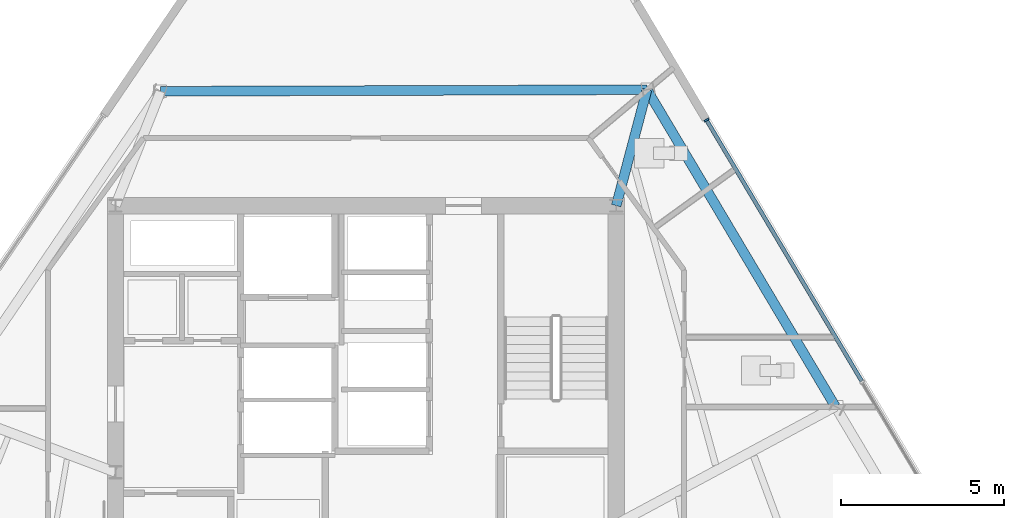
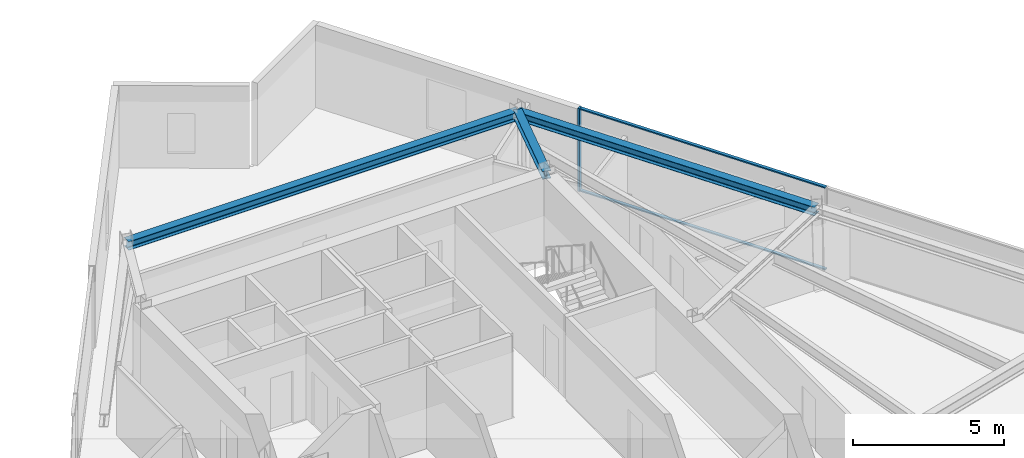
# One storey, part 6 of 14: 3 beams, 3 members, 1 element without a shape of its own.
"""IFC4 building model written with IfcOpenShell, lengths in metres."""

from ifc_helpers import new_model, si_unit, direction, frame, origin, origin_2d, place, context, subcontext, project, spatial, rectangle, i_section, extrude, material, material_profile, profile_set, type_object, element, aggregate, save


model = new_model("IFC4")

# Units and contexts
model_context = context("Model", 3, precision=1e-05, world=origin(), true_north=direction((0.0, 1.0)))
body_context = subcontext(model_context, "Body", "Model", "MODEL_VIEW")
ifc_project = project(units=[si_unit("LENGTHUNIT", "METRE"), si_unit("AREAUNIT", "SQUARE_METRE"), si_unit("VOLUMEUNIT", "CUBIC_METRE"), si_unit("PLANEANGLEUNIT", "RADIAN"), si_unit("MASSUNIT", "GRAM", prefix="KILO")], contexts=[model_context])

# Site, building, storey
site_placement = place(None, origin())
site = spatial("IfcSite", under=ifc_project, at=site_placement, CompositionType="ELEMENT")
building_placement = place(site_placement, origin())
building = spatial("IfcBuilding", under=site, at=building_placement, Name="Savorim Split Tower", CompositionType="ELEMENT")
storey_placement = place(building_placement, frame((0.0, 0.0, 219.89990234375)))
storey = spatial("IfcBuildingStorey", under=building, at=storey_placement, Name="L58", CompositionType="ELEMENT", Elevation=219.89990234375)

# Beams
ifc_material_1 = material(Name="Steel S355", Category="steel")
ifc_material_profile_1 = material_profile(ifc_material_1, i_section(OverallWidth=0.300048828125, OverallDepth=0.320068359375, WebThickness=0.011474609375, FlangeThickness=0.0205078125, FilletRadius=0.027099609375, at=origin_2d()), Name="HEB 320")
ifc_profile_set_1 = profile_set([ifc_material_profile_1], Name="Steel S355")
beam_type_1 = type_object("IfcBeamType", Name="BM-PRI-HEB320", PredefinedType="BEAM", material=ifc_profile_set_1)
beam_1_placement = place(storey_placement, frame((8.645751953125, 13.76513671875, 3.190185546875), z_axis=(-0.256418293252, -0.966565910265, 0.0), x_axis=(0.966565910265, -0.256418293252, 0.0)))
element("IfcBeam", 1, at=beam_1_placement, inside=storey, type_object=beam_type_1, Name="L58 Primary Floor Girder RG-07", PredefinedType="BEAM", context=body_context, shape_type="SweptSolid", body=[
    extrude(i_section(OverallWidth=0.300048828125, OverallDepth=0.320068359375, WebThickness=0.011474609375, FlangeThickness=0.0205078125, FilletRadius=0.027099609375, at=origin_2d()), origin(), (0.0, 0.0, 1.0), 3.6884765625),
])
ifc_material_profile_2 = material_profile(ifc_material_1, i_section(OverallWidth=0.300048828125, OverallDepth=0.35009765625, WebThickness=0.010009765625, FlangeThickness=0.017578125, FilletRadius=0.027099609375, at=origin_2d()), Name="HEA 360")
ifc_profile_set_2 = profile_set([ifc_material_profile_2], Name="Steel S355")
beam_type_2 = type_object("IfcBeamType", Name="BM-SPN-HEA360", PredefinedType="SPANDREL", material=ifc_profile_set_2)
beam_2_placement = place(storey_placement, frame((14.4384765625, 4.023193359375, 3.175048828125), z_axis=(-0.511089586469, 0.859527448429, 0.0), x_axis=(-0.859527448429, -0.511089586469, 0.0)))
element("IfcBeam", 2, at=beam_2_placement, inside=storey, type_object=beam_type_2, Name="L58 Perimeter Spandrel Beam 6", PredefinedType="SPANDREL", context=body_context, shape_type="SweptSolid", body=[
    extrude(i_section(OverallWidth=0.300048828125, OverallDepth=0.35009765625, WebThickness=0.010009765625, FlangeThickness=0.017578125, FilletRadius=0.027099609375, at=origin_2d()), origin(), (0.0, 0.0, 1.0), 11.333984375),
])
beam_3_placement = place(storey_placement, frame((8.645751953125, 13.76513671875, 3.175048828125), z_axis=(-0.999994672236, -0.003264276134, 0.0), x_axis=(0.003264276134, -0.999994672236, 0.0)))
element("IfcBeam", 3, at=beam_3_placement, inside=storey, type_object=beam_type_2, Name="L58 Perimeter Spandrel Beam 7", PredefinedType="SPANDREL", context=body_context, shape_type="SweptSolid", body=[
    extrude(i_section(OverallWidth=0.300048828125, OverallDepth=0.35009765625, WebThickness=0.010009765625, FlangeThickness=0.017578125, FilletRadius=0.027099609375, at=origin_2d()), origin(), (0.0, 0.0, 1.0), 14.958251953125),
])

# Curtain wall, members
ifc_material_2 = material(Name="Dark Ceramic-Fritted Insulated Glass", Category="glass")
curtain_wall_type = type_object("IfcCurtainWallType", Name="CW-TWR-FRIT-B", PredefinedType="NOTDEFINED", material=ifc_material_2)
curtain_wall_placement = place(storey_placement, origin())
curtain_wall = element("IfcCurtainWall", 4, at=curtain_wall_placement, inside=storey, type_object=curtain_wall_type, Name="L58 Curtain Wall CW-L58-EAST", PredefinedType="NOTDEFINED")
ifc_material_3 = material(Name="Charcoal Anodised Aluminium", Category="aluminium")
ifc_material_profile_3 = material_profile(ifc_material_3, rectangle(XDim=0.159912109375, YDim=0.06005859375, at=origin_2d()), Name="ALU-M 160x60")
ifc_profile_set_3 = profile_set([ifc_material_profile_3], Name="Charcoal Anodised Aluminium")
member_type_1 = type_object("IfcMemberType", Name="CWM-160x60", PredefinedType="MULLION", material=ifc_profile_set_3)
member_1_placement = place(storey_placement, frame((10.47607421875, 12.830322265625, 0.0), z_axis=(0.0, 0.0, 1.0), x_axis=(-0.859523513249, -0.51109620442, 0.0)))
member_1 = element("IfcMember", 5, at=member_1_placement, type_object=member_type_1, Name="CW-03 mullion 4", PredefinedType="MULLION", context=body_context, shape_type="SweptSolid", body=[
    extrude(rectangle(XDim=0.159912109375, YDim=0.06005859375, at=origin_2d()), origin(), (0.0, 0.0, 1.0), 3.35009765625),
])
ifc_material_profile_4 = material_profile(ifc_material_3, rectangle(XDim=0.1201171875, YDim=0.050048828125, at=origin_2d()), Name="ALU-T 120x50")
ifc_profile_set_4 = profile_set([ifc_material_profile_4], Name="Charcoal Anodised Aluminium")
member_type_2 = type_object("IfcMemberType", Name="CWT-120x50", PredefinedType="USERDEFINED", material=ifc_profile_set_4)
member_2_placement = place(storey_placement, frame((15.2509765625, 4.80029296875, 0.025146484375), z_axis=(-0.511087432816, 0.859528729024, 0.0), x_axis=(-0.859528729024, -0.511087432816, 0.0)))
member_2 = element("IfcMember", 6, at=member_2_placement, type_object=member_type_2, Name="CW-03 transom 3.1", ObjectType="TRANSOM", PredefinedType="USERDEFINED", context=body_context, shape_type="SweptSolid", body=[
    extrude(rectangle(XDim=0.1201171875, YDim=0.050048828125, at=origin_2d()), origin(), (0.0, 0.0, 1.0), 9.3125),
])
member_3_placement = place(storey_placement, frame((15.2509765625, 4.80029296875, 3.3251953125), z_axis=(-0.511087432816, 0.859528729024, 0.0), x_axis=(-0.859528729024, -0.511087432816, 0.0)))
member_3 = element("IfcMember", 7, at=member_3_placement, type_object=member_type_2, Name="CW-03 transom 3.2", ObjectType="TRANSOM", PredefinedType="USERDEFINED", context=body_context, shape_type="SweptSolid", body=[
    extrude(rectangle(XDim=0.1201171875, YDim=0.050048828125, at=origin_2d()), origin(), (0.0, 0.0, 1.0), 9.3125),
])
aggregate(curtain_wall, [member_1, member_2, member_3])

save(model, "model.ifc")
